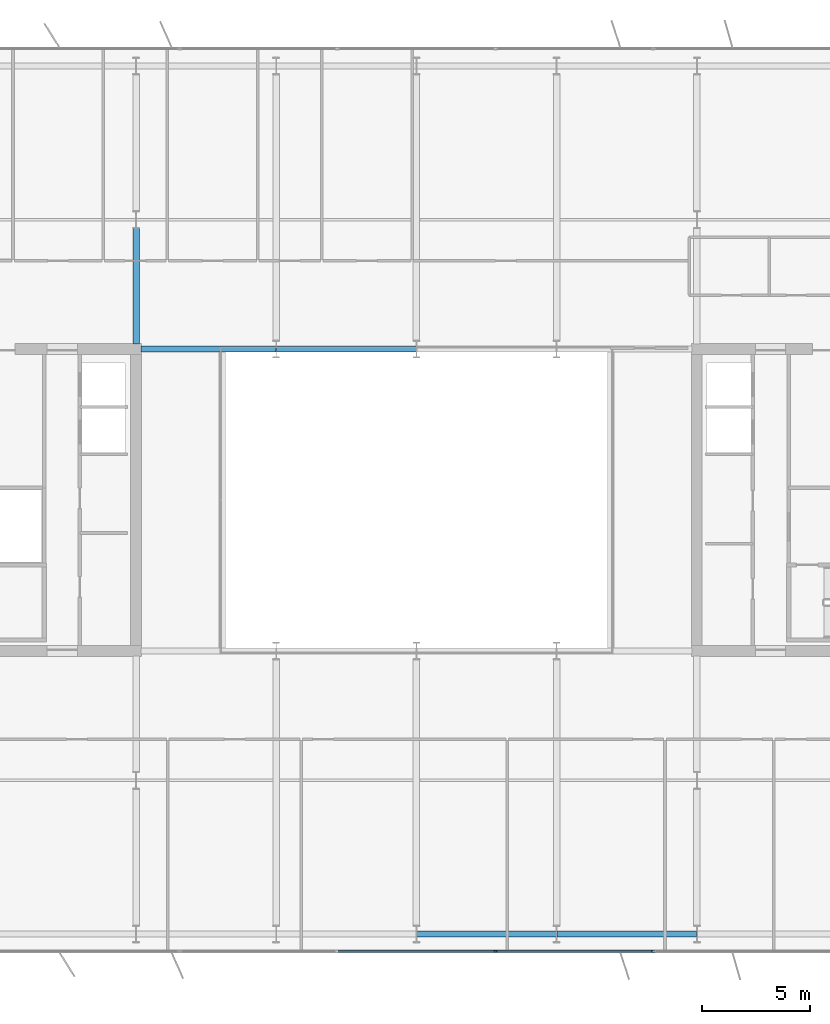
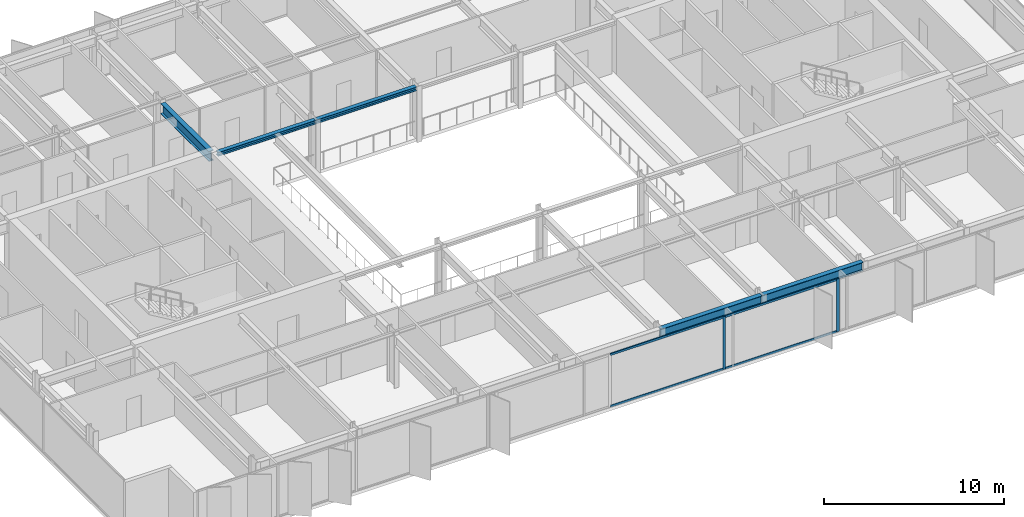
# One storey, part 6 of 24: 6 members, 5 beams, 1 element without a shape of its own.
"""IFC4 building model written with IfcOpenShell, lengths in metres."""

from ifc_helpers import new_model, si_unit, direction, frame, origin, origin_2d, place, context, subcontext, project, spatial, rectangle, i_section, extrude, material, layer, layer_set, material_profile, profile_set, type_object, element, aggregate, save


model = new_model("IFC4")

# Units and contexts
model_context = context("Model", 3, precision=1e-05, world=origin(), true_north=direction((0.0, 1.0)))
body_context = subcontext(model_context, "Body", "Model", "MODEL_VIEW")
ifc_project = project(units=[si_unit("LENGTHUNIT", "METRE"), si_unit("AREAUNIT", "SQUARE_METRE"), si_unit("VOLUMEUNIT", "CUBIC_METRE"), si_unit("PLANEANGLEUNIT", "RADIAN"), si_unit("MASSUNIT", "GRAM", prefix="KILO")], contexts=[model_context])

# Site, building, storey
site_placement = place(None, origin())
site = spatial("IfcSite", under=ifc_project, at=site_placement, CompositionType="ELEMENT")
building_placement = place(site_placement, origin())
building = spatial("IfcBuilding", under=site, at=building_placement, Name="Putna Gate Headquarters", CompositionType="ELEMENT")
storey_placement = place(building_placement, frame((0.0, 0.0, 248.0)))
storey = spatial("IfcBuildingStorey", under=building, at=storey_placement, Name="L62", CompositionType="ELEMENT", Elevation=248.0)

# Beams
ifc_material_1 = material(Name="Steel S355J2", Category="steel")
ifc_material_profile_1 = material_profile(ifc_material_1, i_section(OverallWidth=0.260009765625, OverallDepth=0.260009765625, WebThickness=0.010009765625, FlangeThickness=0.017578125, at=origin_2d()), Name="Steel S355J2")
ifc_profile_set_1 = profile_set([ifc_material_profile_1], Name="Steel S355J2")
beam_type_1 = type_object("IfcBeamType", Name="BM-ATRIUM-HEB260", PredefinedType="BEAM", material=ifc_profile_set_1)
beam_1_placement = place(storey_placement, frame((26.235107421875, 33.0, 3.449951171875), z_axis=(1.0, 0.0, 0.0), x_axis=(0.0, 1.0, 0.0)))
element("IfcBeam", 1, at=beam_1_placement, inside=storey, type_object=beam_type_1, Name="L62 Atrium Edge Beam AN1", PredefinedType="BEAM", context=body_context, shape_type="SweptSolid", body=[
    extrude(i_section(OverallWidth=0.260009765625, OverallDepth=0.260009765625, WebThickness=0.010009765625, FlangeThickness=0.017578125, at=origin_2d()), origin(), (0.0, 0.0, 1.0), 6.2587890625),
])
beam_2_placement = place(storey_placement, frame((32.506103515625, 33.0, 3.449951171875), z_axis=(1.0, 0.0, 0.0), x_axis=(0.0, 1.0, 0.0)))
element("IfcBeam", 2, at=beam_2_placement, inside=storey, type_object=beam_type_1, Name="L62 Atrium Edge Beam AN2", PredefinedType="BEAM", context=body_context, shape_type="SweptSolid", body=[
    extrude(i_section(OverallWidth=0.260009765625, OverallDepth=0.260009765625, WebThickness=0.010009765625, FlangeThickness=0.017578125, at=origin_2d()), origin(), (0.0, 0.0, 1.0), 6.48779296875),
])
ifc_material_profile_2 = material_profile(ifc_material_1, i_section(OverallWidth=0.300048828125, OverallDepth=0.699951171875, WebThickness=0.01708984375, FlangeThickness=0.031982421875, at=origin_2d()), Name="Steel S355J2")
ifc_profile_set_2 = profile_set([ifc_material_profile_2], Name="Steel S355J2")
beam_type_2 = type_object("IfcBeamType", Name="BM-GIRD-B-HEB700", PredefinedType="USERDEFINED", material=ifc_profile_set_2)
beam_3_placement = place(storey_placement, frame((26.0, 33.235107421875, 3.22998046875), z_axis=(0.0, 1.0, 0.0), x_axis=(-1.0, 0.0, 0.0)))
element("IfcBeam", 3, at=beam_3_placement, inside=storey, type_object=beam_type_2, Name="L62 North Primary Girder X26-1", ObjectType="GIRDER", PredefinedType="USERDEFINED", context=body_context, shape_type="SweptSolid", body=[
    extrude(i_section(OverallWidth=0.300048828125, OverallDepth=0.699951171875, WebThickness=0.01708984375, FlangeThickness=0.031982421875, at=origin_2d()), origin(), (0.0, 0.0, 1.0), 5.369873046875),
])
ifc_material_profile_3 = material_profile(ifc_material_1, i_section(OverallWidth=0.300048828125, OverallDepth=0.590087890625, WebThickness=0.012939453125, FlangeThickness=0.02490234375, at=origin_2d()), Name="Steel S355J2")
ifc_profile_set_3 = profile_set([ifc_material_profile_3], Name="Steel S355J2")
beam_type_3 = type_object("IfcBeamType", Name="BM-SPAN-Z4-HEA600", PredefinedType="SPANDREL", material=ifc_profile_set_3)
for number, where, z_axis, x_axis, name in (
    (4, (39.006103515625, 5.8798828125, 3.284912109375), (1.0, 0.0, 0.0), (0.0, 1.0, 0.0), "L62 S Perimeter Spandrel 5"),
    (5, (45.506103515625, 5.8798828125, 3.284912109375), (1.0, 0.0, 0.0), (0.0, 1.0, 0.0), "L62 S Perimeter Spandrel 6"),
):
    element("IfcBeam", number, at=place(storey_placement, frame(where, z_axis=z_axis, x_axis=x_axis)), inside=storey, type_object=beam_type_3, Name=name, PredefinedType="SPANDREL", context=body_context, shape_type="SweptSolid", body=[
        extrude(i_section(OverallWidth=0.300048828125, OverallDepth=0.590087890625, WebThickness=0.012939453125, FlangeThickness=0.02490234375, at=origin_2d()), origin(), (0.0, 0.0, 1.0), 6.48779296875),
    ])

# Curtain wall, members
ifc_material_2 = material(Name="Anodised bronze aluminium curtain wall", Category="aluminium")
ifc_layer = layer(ifc_material_2, 0.179931640625)
ifc_layer_set = layer_set([ifc_layer], Name="Anodised bronze aluminium curtain wall")
curtain_wall_type = type_object("IfcCurtainWallType", Name="CW-SYS-ATR", PredefinedType="USERDEFINED", material=ifc_layer_set)
curtain_wall_placement = place(storey_placement, origin())
curtain_wall = element("IfcCurtainWall", 6, at=curtain_wall_placement, inside=storey, type_object=curtain_wall_type, Name="L62 South Atrium Clear Glazing", ObjectType="ATRIUM GLAZING", PredefinedType="USERDEFINED")
ifc_material_3 = material(Name="Anodised bronze aluminium EN AW-6060", Category="aluminium")
ifc_material_profile_4 = material_profile(ifc_material_3, rectangle(XDim=0.070068359375, YDim=0.179931640625, at=origin_2d()), Name="Anodised bronze aluminium EN AW-6060")
ifc_profile_set_4 = profile_set([ifc_material_profile_4], Name="Anodised bronze aluminium EN AW-6060")
member_type_1 = type_object("IfcMemberType", Name="MULL-CWM-AT", PredefinedType="MULLION", material=ifc_profile_set_4)
member_1_placement = place(storey_placement, frame((42.666748046875, 5.080078125, 0.0), z_axis=(0.0, 0.0, 1.0), x_axis=(0.0, 1.0, 0.0)))
member_1 = element("IfcMember", 7, at=member_1_placement, type_object=member_type_1, Name="CWS-AT mullion 3", PredefinedType="MULLION", context=body_context, shape_type="SweptSolid", body=[
    extrude(rectangle(XDim=0.070068359375, YDim=0.179931640625, at=origin_2d()), origin(), (0.0, 0.0, 1.0), 3.580078125),
])
member_2_placement = place(storey_placement, frame((49.965087890625, 5.080078125, 0.0), z_axis=(0.0, 0.0, 1.0), x_axis=(0.0, 1.0, 0.0)))
member_2 = element("IfcMember", 8, at=member_2_placement, type_object=member_type_1, Name="CWS-AT mullion 4", PredefinedType="MULLION", context=body_context, shape_type="SweptSolid", body=[
    extrude(rectangle(XDim=0.070068359375, YDim=0.179931640625, at=origin_2d()), origin(), (0.0, 0.0, 1.0), 3.580078125),
])
ifc_material_profile_5 = material_profile(ifc_material_3, rectangle(XDim=0.070068359375, YDim=0.139892578125, at=origin_2d()), Name="Anodised bronze aluminium EN AW-6060")
ifc_profile_set_5 = profile_set([ifc_material_profile_5], Name="Anodised bronze aluminium EN AW-6060")
member_type_2 = type_object("IfcMemberType", Name="TRAN-CWT-AT", PredefinedType="USERDEFINED", material=ifc_profile_set_5)
member_3_placement = place(storey_placement, frame((35.368408203125, 5.080078125, 0.034912109375), z_axis=(1.0, 0.0, 0.0), x_axis=(0.0, 1.0, 0.0)))
member_3 = element("IfcMember", 9, at=member_3_placement, type_object=member_type_2, Name="CWS-AT transom 2.1", ObjectType="TRANSOM", PredefinedType="USERDEFINED", context=body_context, shape_type="SweptSolid", body=[
    extrude(rectangle(XDim=0.070068359375, YDim=0.139892578125, at=origin_2d()), origin(), (0.0, 0.0, 1.0), 7.26318359375),
])
member_4_placement = place(storey_placement, frame((35.368408203125, 5.080078125, 3.544921875), z_axis=(1.0, 0.0, 0.0), x_axis=(0.0, 1.0, 0.0)))
member_4 = element("IfcMember", 10, at=member_4_placement, type_object=member_type_2, Name="CWS-AT transom 2.2", ObjectType="TRANSOM", PredefinedType="USERDEFINED", context=body_context, shape_type="SweptSolid", body=[
    extrude(rectangle(XDim=0.070068359375, YDim=0.139892578125, at=origin_2d()), origin(), (0.0, 0.0, 1.0), 7.26318359375),
])
member_5_placement = place(storey_placement, frame((42.70166015625, 5.080078125, 0.034912109375), z_axis=(1.0, 0.0, 0.0), x_axis=(0.0, 1.0, 0.0)))
member_5 = element("IfcMember", 11, at=member_5_placement, type_object=member_type_2, Name="CWS-AT transom 3.1", ObjectType="TRANSOM", PredefinedType="USERDEFINED", context=body_context, shape_type="SweptSolid", body=[
    extrude(rectangle(XDim=0.070068359375, YDim=0.139892578125, at=origin_2d()), origin(), (0.0, 0.0, 1.0), 7.228271484375),
])
member_6_placement = place(storey_placement, frame((42.70166015625, 5.080078125, 3.544921875), z_axis=(1.0, 0.0, 0.0), x_axis=(0.0, 1.0, 0.0)))
member_6 = element("IfcMember", 12, at=member_6_placement, type_object=member_type_2, Name="CWS-AT transom 3.2", ObjectType="TRANSOM", PredefinedType="USERDEFINED", context=body_context, shape_type="SweptSolid", body=[
    extrude(rectangle(XDim=0.070068359375, YDim=0.139892578125, at=origin_2d()), origin(), (0.0, 0.0, 1.0), 7.228271484375),
])
aggregate(curtain_wall, [member_1, member_2, member_3, member_4, member_5, member_6])

save(model, "model.ifc")
